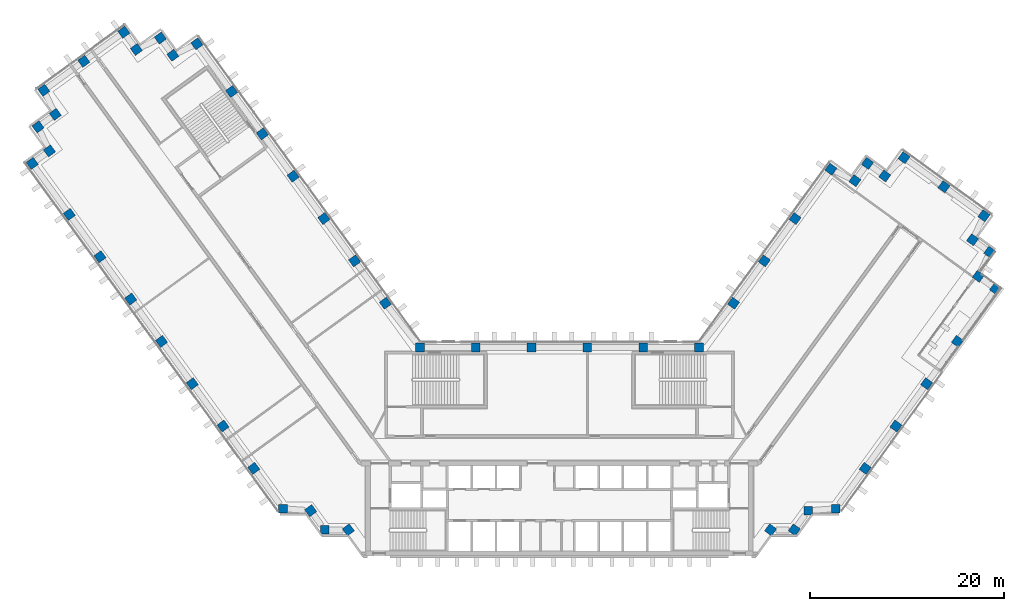
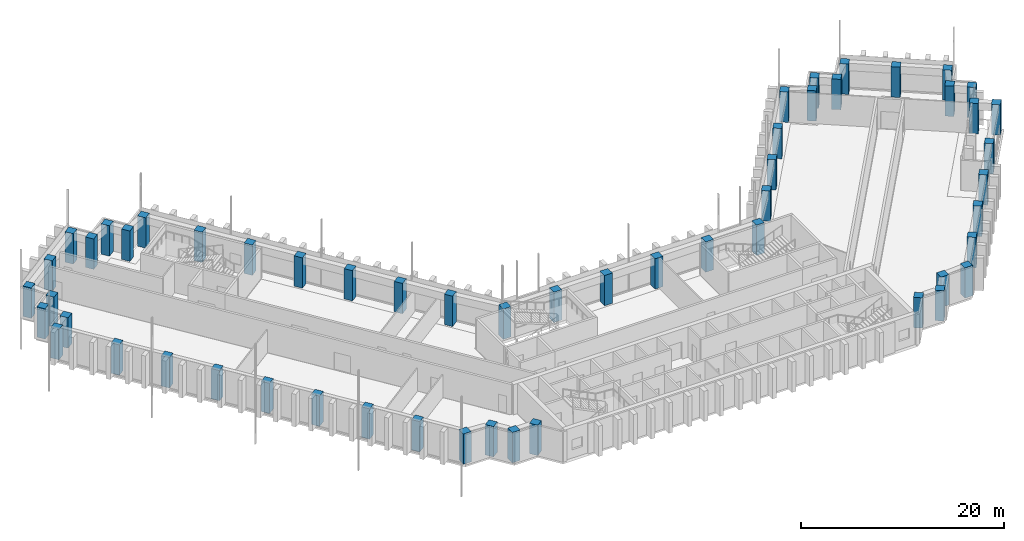
# One storey, part 1 of 16: 56 columns.
"""IFC4 building model written with IfcOpenShell, lengths in metres."""

from ifc_helpers import new_model, si_unit, direction, frame, origin, origin_2d, place, context, subcontext, project, spatial, rectangle, extrude, material, material_profile, profile_set, type_object, element, save


model = new_model("IFC4")

# Units and contexts
model_context = context("Model", 3, precision=1e-05, world=origin(), true_north=direction((0.0, 1.0)))
body_context = subcontext(model_context, "Body", "Model", "MODEL_VIEW")
ifc_project = project(units=[si_unit("LENGTHUNIT", "METRE"), si_unit("AREAUNIT", "SQUARE_METRE"), si_unit("VOLUMEUNIT", "CUBIC_METRE"), si_unit("PLANEANGLEUNIT", "RADIAN"), si_unit("MASSUNIT", "GRAM", prefix="KILO")], contexts=[model_context])

# Site, building, storey
site_placement = place(None, origin())
site = spatial("IfcSite", under=ifc_project, at=site_placement, CompositionType="ELEMENT")
building_placement = place(site_placement, origin())
building = spatial("IfcBuilding", under=site, at=building_placement, Name="Quipu Civic Tower", CompositionType="ELEMENT")
storey_placement = place(building_placement, frame((0.0, 0.0, 89.0)))
storey = spatial("IfcBuildingStorey", under=building, at=storey_placement, Name="L20", CompositionType="ELEMENT", Elevation=89.0)

# Columns
ifc_material = material(Name="Concrete C60/75", Category="concrete")
ifc_material_profile = material_profile(ifc_material, rectangle(XDim=0.89990234375, YDim=0.89990234375, at=origin_2d()), Name="RC900x900")
ifc_profile_set = profile_set([ifc_material_profile], Name="Concrete C60/75")
column_type = type_object("IfcColumnType", Name="Perimeter column RC 900x900 C60/75", PredefinedType="COLUMN", material=ifc_profile_set)
for number, where, z_axis, x_axis, name in (
    (1, (-17.9736328125, 15.074951171875, 0.0), (0.0, 0.0, 1.0), (-0.587785252292, 0.809016994375, 0.0), "Column L20 W-IN-01"),
    (2, (-21.1474609375, 19.44384765625, 0.0), (0.0, 0.0, 1.0), (-0.587785252292, 0.809016994375, 0.0), "Column L20 W-IN-02"),
    (3, (-24.3212890625, 23.8125, 0.0), (0.0, 0.0, 1.0), (-0.587785252292, 0.809016994375, 0.0), "Column L20 W-IN-03"),
    (4, (-27.4951171875, 28.181396484375, 0.0), (0.0, 0.0, 1.0), (-0.587785252292, 0.809016994375, 0.0), "Column L20 W-IN-04"),
    (5, (-30.6689453125, 32.55029296875, 0.0), (0.0, 0.0, 1.0), (-0.587785252292, 0.809016994375, 0.0), "Column L20 W-IN-05"),
    (6, (-33.843017578125, 36.919189453125, 0.0), (0.0, 0.0, 1.0), (-0.587785252292, 0.809016994375, 0.0), "Column L20 W-IN-06"),
    (7, (-37.425048828125, 41.85009765625, 0.0), (0.0, 0.0, 1.0), (-0.587785252292, 0.809016994375, 0.0), "Column L20 T-Wi.0-W50"),
    (8, (-39.905517578125, 40.666015625, 0.0), (0.0, 0.0, 1.0), (-0.587785252292, 0.809016994375, 0.0), "Column L20 T-Wi.1-W50"),
    (9, (-41.199951171875, 42.445068359375, 0.0), (0.0, 0.0, 1.0), (-0.587785252292, 0.809016994375, 0.0), "Column L20 T-Wi.2-W50"),
    (10, (-43.674560546875, 41.264892578125, 0.0), (0.0, 0.0, 1.0), (-0.809016994375, -0.587785252292, 0.0), "Column L20 T-Wi.3-W50"),
    (11, (-44.969970703125, 43.044921875, 0.0), (0.0, 0.0, 1.0), (-0.809016994375, -0.587785252292, 0.0), "Column L20 T-Wi.4-W50"),
    (12, (-49.095703125, 40.046875, 0.0), (0.0, 0.0, 1.0), (-0.809016994375, -0.587785252292, 0.0), "Column L20 TIP-W-01-W50"),
    (13, (-53.219970703125, 37.050048828125, 0.0), (0.0, 0.0, 1.0), (0.587785252292, -0.809016994375, 0.0), "Column L20 T-Wo.0-W50"),
    (14, (-52.038818359375, 34.571044921875, 0.0), (0.0, 0.0, 1.0), (-0.809016994375, -0.587785252292, 0.0), "Column L20 T-Wo.1-W50"),
    (15, (-53.820068359375, 33.27490234375, 0.0), (0.0, 0.0, 1.0), (0.587785252292, -0.809016994375, 0.0), "Column L20 T-Wo.2-W50"),
    (16, (-52.635986328125, 30.799560546875, 0.0), (0.0, 0.0, 1.0), (-0.809016994375, -0.587785252292, 0.0), "Column L20 T-Wo.3-W50"),
    (17, (-54.4150390625, 29.5048828125, 0.0), (0.0, 0.0, 1.0), (0.587785252292, -0.809016994375, 0.0), "Column L20 T-Wo.4-W50"),
    (18, (-50.59228515625, 24.243408203125, 0.0), (0.0, 0.0, 1.0), (0.587785252292, -0.809016994375, 0.0), "Column L20 W-OUT-07"),
    (19, (-47.41845703125, 19.874755859375, 0.0), (0.0, 0.0, 1.0), (0.587785252292, -0.809016994375, 0.0), "Column L20 W-OUT-06"),
    (20, (-44.244384765625, 15.506103515625, 0.0), (0.0, 0.0, 1.0), (0.587785252292, -0.809016994375, 0.0), "Column L20 W-OUT-05"),
    (21, (-41.0703125, 11.137451171875, 0.0), (0.0, 0.0, 1.0), (0.587785252292, -0.809016994375, 0.0), "Column L20 W-OUT-04"),
    (22, (-37.896240234375, 6.768798828125, 0.0), (0.0, 0.0, 1.0), (0.587785252292, -0.809016994375, 0.0), "Column L20 W-OUT-03"),
    (23, (-34.722412109375, 2.39990234375, 0.0), (0.0, 0.0, 1.0), (0.587785252292, -0.809016994375, 0.0), "Column L20 W-OUT-02"),
    (24, (-31.54833984375, -1.96875, 0.0), (0.0, 0.0, 1.0), (0.587785252292, -0.809016994375, 0.0), "Column L20 W-OUT-01"),
    (25, (-28.52490234375, -6.1298828125, 0.0), (0.0, 0.0, 1.0), (1.0, 0.0, 0.0), "Column L20 J-Wo.0"),
    (26, (-25.67431640625, -6.3369140625, 0.0), (0.0, 0.0, 1.0), (0.587785252292, -0.809016994375, 0.0), "Column L20 J-Wo.1"),
    (27, (-24.235107421875, -8.31494140625, 0.0), (0.0, 0.0, 1.0), (1.0, 0.0, 0.0), "Column L20 J-Wo.2"),
    (28, (-21.791748046875, -8.31494140625, 0.0), (0.0, 0.0, 1.0), (0.587785252292, -0.809016994375, 0.0), "Column L20 J-Wo.3"),
    (29, (21.791748046875, -8.31494140625, 0.0), (0.0, 0.0, 1.0), (0.587785252292, 0.809016994375, 0.0), "Column L20 J-Eo.1"),
    (30, (24.235107421875, -8.31494140625, 0.0), (0.0, 0.0, 1.0), (0.587785252292, 0.809016994375, 0.0), "Column L20 J-Eo.2"),
    (31, (25.67431640625, -6.3369140625, 0.0), (0.0, 0.0, 1.0), (1.0, 0.0, 0.0), "Column L20 J-Eo.3"),
    (32, (28.52490234375, -6.1298828125, 0.0), (0.0, 0.0, 1.0), (1.0, 0.0, 0.0), "Column L20 J-Eo.4"),
    (33, (31.54833984375, -1.96875, 0.0), (0.0, 0.0, 1.0), (0.587785252292, 0.809016994375, 0.0), "Column L20 E-OUT-01"),
    (34, (34.722412109375, 2.39990234375, 0.0), (0.0, 0.0, 1.0), (0.587785252292, 0.809016994375, 0.0), "Column L20 E-OUT-02"),
    (35, (37.896240234375, 6.768798828125, 0.0), (0.0, 0.0, 1.0), (0.587785252292, 0.809016994375, 0.0), "Column L20 E-OUT-03"),
    (36, (41.0703125, 11.137451171875, 0.0), (0.0, 0.0, 1.0), (0.587785252292, 0.809016994375, 0.0), "Column L20 E-OUT-04"),
    (37, (45.010009765625, 16.56005859375, 0.0), (0.0, 0.0, 1.0), (0.587785252292, 0.809016994375, 0.0), "Column L20 T-Eo.0-E34"),
    (38, (43.23095703125, 17.8544921875, 0.0), (0.0, 0.0, 1.0), (0.587785252292, 0.809016994375, 0.0), "Column L20 T-Eo.1-E34"),
    (39, (44.4150390625, 20.3349609375, 0.0), (0.0, 0.0, 1.0), (0.587785252292, 0.809016994375, 0.0), "Column L20 T-Eo.2-E34"),
    (40, (42.635009765625, 21.626220703125, 0.0), (0.0, 0.0, 1.0), (-0.809016994375, 0.587785252292, 0.0), "Column L20 T-Eo.3-E34"),
    (41, (43.81494140625, 24.10498046875, 0.0), (0.0, 0.0, 1.0), (-0.809016994375, 0.587785252292, 0.0), "Column L20 T-Eo.4-E34"),
    (42, (39.690673828125, 27.10205078125, 0.0), (0.0, 0.0, 1.0), (-0.809016994375, 0.587785252292, 0.0), "Column L20 TIP-E-01-E34"),
    (43, (35.56494140625, 30.10009765625, 0.0), (0.0, 0.0, 1.0), (-0.587785252292, -0.809016994375, 0.0), "Column L20 T-Ei.0-E34"),
    (44, (33.573974609375, 28.20947265625, 0.0), (0.0, 0.0, 1.0), (-0.809016994375, 0.587785252292, 0.0), "Column L20 T-Ei.1-E34"),
    (45, (31.794921875, 29.5, 0.0), (0.0, 0.0, 1.0), (-0.587785252292, -0.809016994375, 0.0), "Column L20 T-Ei.2-E34"),
    (46, (30.498779296875, 27.72265625, 0.0), (0.0, 0.0, 1.0), (-0.809016994375, 0.587785252292, 0.0), "Column L20 T-Ei.3-E34"),
    (47, (28.02001953125, 28.905029296875, 0.0), (0.0, 0.0, 1.0), (-0.809016994375, 0.587785252292, 0.0), "Column L20 T-Ei.4-E34"),
    (48, (24.3212890625, 23.8125, 0.0), (0.0, 0.0, 1.0), (-0.587785252292, -0.809016994375, 0.0), "Column L20 E-IN-03"),
    (49, (21.1474609375, 19.44384765625, 0.0), (0.0, 0.0, 1.0), (-0.587785252292, -0.809016994375, 0.0), "Column L20 E-IN-02"),
    (50, (17.9736328125, 15.074951171875, 0.0), (0.0, 0.0, 1.0), (-0.587785252292, -0.809016994375, 0.0), "Column L20 E-IN-01"),
    (51, (14.395263671875, 10.5, 0.0), (0.0, 0.0, 1.0), (-1.0, 0.0, 0.0), "Column L20 J-Ei.0"),
    (52, (8.63720703125, 10.5, 0.0), (0.0, 0.0, 1.0), (-1.0, 0.0, 0.0), "Column L20 FRONT-01"),
    (53, (2.87890625, 10.5, 0.0), (0.0, 0.0, 1.0), (-1.0, 0.0, 0.0), "Column L20 FRONT-02"),
    (54, (-2.87890625, 10.5, 0.0), (0.0, 0.0, 1.0), (-1.0, 0.0, 0.0), "Column L20 FRONT-03"),
    (55, (-8.63720703125, 10.5, 0.0), (0.0, 0.0, 1.0), (-1.0, 0.0, 0.0), "Column L20 FRONT-04"),
    (56, (-14.395263671875, 10.5, 0.0), (0.0, 0.0, 1.0), (-1.0, 0.0, 0.0), "Column L20 J-Wi.0"),
):
    element("IfcColumn", number, at=place(storey_placement, frame(where, z_axis=z_axis, x_axis=x_axis)), inside=storey, type_object=column_type, Name=name, PredefinedType="COLUMN", context=body_context, shape_type="SweptSolid", body=[
        extrude(rectangle(XDim=0.89990234375, YDim=0.89990234375, at=origin_2d()), origin(), (0.0, 0.0, 1.0), 3.64990234375),
    ])

save(model, "model.ifc")
